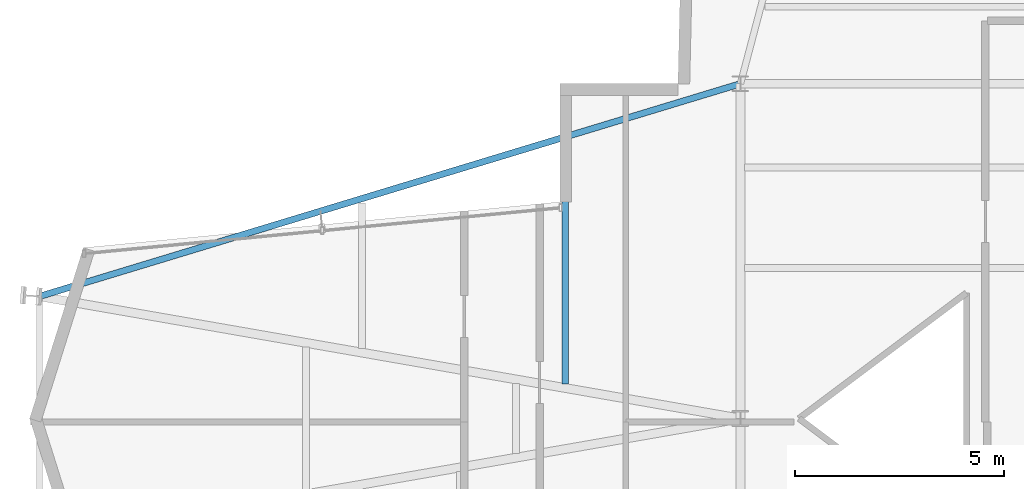
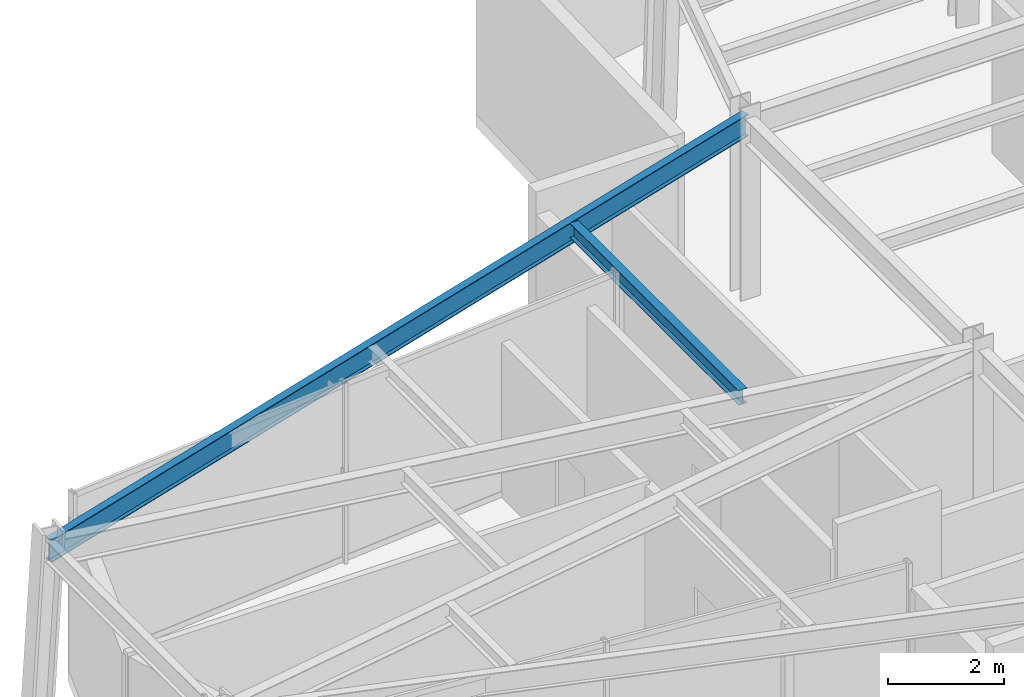
# One storey, part 7 of 21: 2 beams.
"""IFC4 building model written with IfcOpenShell, lengths in metres."""

from ifc_helpers import new_model, si_unit, direction, frame, origin, origin_2d, place, context, subcontext, project, spatial, i_section, extrude, material, material_profile, profile_set, type_object, element, save


model = new_model("IFC4")

# Units and contexts
model_context = context("Model", 3, precision=1e-05, world=origin(), true_north=direction((0.0, 1.0)))
body_context = subcontext(model_context, "Body", "Model", "MODEL_VIEW")
ifc_project = project(units=[si_unit("LENGTHUNIT", "METRE"), si_unit("AREAUNIT", "SQUARE_METRE"), si_unit("VOLUMEUNIT", "CUBIC_METRE"), si_unit("PLANEANGLEUNIT", "RADIAN"), si_unit("MASSUNIT", "GRAM", prefix="KILO")], contexts=[model_context])

# Site, building, storey
site_placement = place(None, origin())
site = spatial("IfcSite", under=ifc_project, at=site_placement, CompositionType="ELEMENT")
building_placement = place(site_placement, origin())
building = spatial("IfcBuilding", under=site, at=building_placement, Name="Veymaron Broadcast Tower", CompositionType="ELEMENT")
storey_placement = place(building_placement, frame((0.0, 0.0, 240.449951171875)))
storey = spatial("IfcBuildingStorey", under=building, at=storey_placement, Name="L56", CompositionType="ELEMENT", Elevation=240.449951171875)

# Beams
ifc_material = material(Name="Structural steel ASTM A992 Gr 50", Category="steel")
ifc_material_profile_1 = material_profile(ifc_material, i_section(OverallWidth=0.1650390625, OverallDepth=0.31005859375, WebThickness=0.005859375, FlangeThickness=0.009765625, at=origin_2d()), Name="W310X39")
ifc_profile_set_1 = profile_set([ifc_material_profile_1], Name="Structural steel ASTM A992 Gr 50")
beam_type_1 = type_object("IfcBeamType", Name="BM-JS3", PredefinedType="JOIST", material=ifc_profile_set_1)
beam_1_placement = place(storey_placement, frame((27.012939453125, 24.82958984375, 3.635009765625), z_axis=(0.0, 1.0, 0.0), x_axis=(-1.0, 0.0, 0.0)))
element("IfcBeam", 1, at=beam_1_placement, inside=storey, type_object=beam_type_1, Name="L56 Arm-A secondary joist 2N", PredefinedType="JOIST", context=body_context, shape_type="SweptSolid", body=[
    extrude(i_section(OverallWidth=0.1650390625, OverallDepth=0.31005859375, WebThickness=0.005859375, FlangeThickness=0.009765625, at=origin_2d()), origin(), (0.0, 0.0, 1.0), 5.7998046875),
])
ifc_material_profile_2 = material_profile(ifc_material, i_section(OverallWidth=0.154052734375, OverallDepth=0.458984375, WebThickness=0.009033203125, FlangeThickness=0.015380859375, at=origin_2d()), Name="W460X68")
ifc_profile_set_2 = profile_set([ifc_material_profile_2], Name="Structural steel ASTM A992 Gr 50")
beam_type_2 = type_object("IfcBeamType", Name="BM-SP2", PredefinedType="SPANDREL", material=ifc_profile_set_2)
beam_2_placement = place(storey_placement, frame((14.45166015625, 26.91796875, 3.560546875), z_axis=(0.956916641224, 0.290362776107, 0.0), x_axis=(-0.290362776107, 0.956916641224, 0.0)))
element("IfcBeam", 2, at=beam_2_placement, inside=storey, type_object=beam_type_2, Name="L56 primary structural floor girder", PredefinedType="SPANDREL", context=body_context, shape_type="SweptSolid", body=[
    extrude(i_section(OverallWidth=0.154052734375, OverallDepth=0.458984375, WebThickness=0.009033203125, FlangeThickness=0.015380859375, at=origin_2d()), origin(), (0.0, 0.0, 1.0), 17.50244140625),
])

save(model, "model.ifc")
